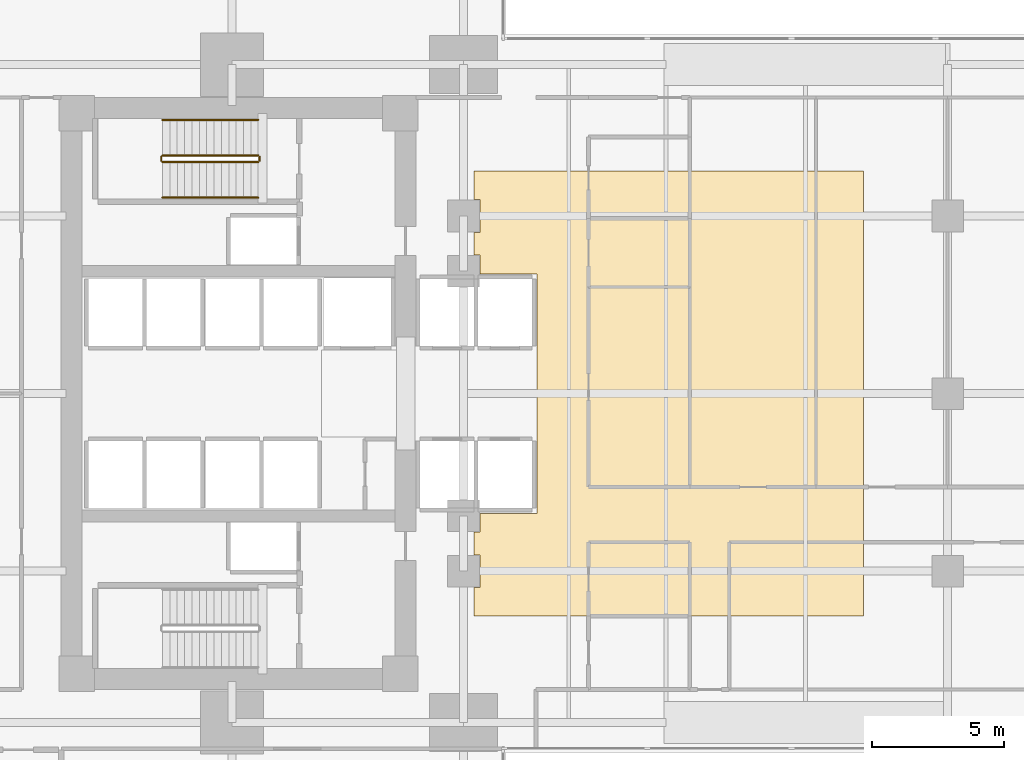
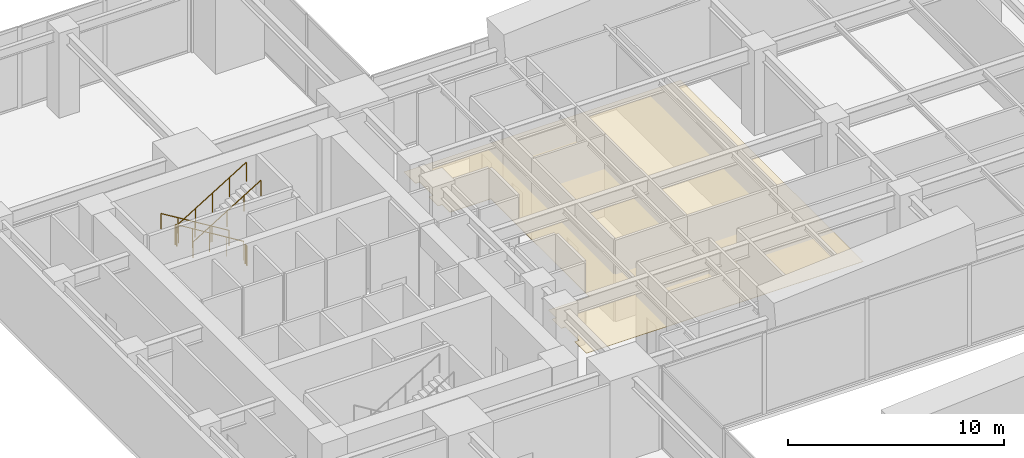
# One storey, part 13 of 13: 6 railings, 1 covering.
"""IFC4 building model written with IfcOpenShell, lengths in metres."""

from ifc_helpers import new_model, si_unit, direction, frame, origin, origin_2d, place, context, subcontext, project, spatial, polyline, circle, outline, extrude, material, layer, layer_set, type_object, element, save


model = new_model("IFC4")

# Units and contexts
model_context = context("Model", 3, precision=1e-05, world=origin(), true_north=direction((0.0, 1.0)))
body_context = subcontext(model_context, "Body", "Model", "MODEL_VIEW")
ifc_project = project(units=[si_unit("LENGTHUNIT", "METRE"), si_unit("AREAUNIT", "SQUARE_METRE"), si_unit("VOLUMEUNIT", "CUBIC_METRE"), si_unit("PLANEANGLEUNIT", "RADIAN"), si_unit("MASSUNIT", "GRAM", prefix="KILO")], contexts=[model_context])

# Site, building, storey
site_placement = place(None, origin())
site = spatial("IfcSite", under=ifc_project, at=site_placement, CompositionType="ELEMENT")
building_placement = place(site_placement, origin())
building = spatial("IfcBuilding", under=site, at=building_placement, Name="Kinhvarn Gate Tower", CompositionType="ELEMENT")
storey_placement = place(building_placement, frame((0.0, 0.0, 10.800048828125)))
storey = spatial("IfcBuildingStorey", under=building, at=storey_placement, Name="L02", CompositionType="ELEMENT", Elevation=10.800048828125)

# Covering
ifc_material_1 = material(Name="Mineral-fibre acoustic ceiling tile")
ifc_layer = layer(ifc_material_1, 0.02001953125)
ifc_layer_set = layer_set([ifc_layer], Name="Mineral-fibre acoustic ceiling tile")
covering_type = type_object("IfcCoveringType", Name="COV-CEIL-20", PredefinedType="CEILING", material=ifc_layer_set)
covering_placement = place(storey_placement, frame((0.0, 0.0, 2.64990234375)))
element("IfcCovering", 1, at=covering_placement, inside=storey, type_object=covering_type, Name="Suspended Acoustic Ceiling Tile (L02-1)", PredefinedType="CEILING", context=body_context, shape_type="SweptSolid", body=[
    extrude(outline(polyline([(35.0, 33.699951171875), (35.0, 16.800048828125), (20.199951171875, 16.800048828125), (20.199951171875, 17.8798828125), (20.419921875, 17.8798828125), (20.419921875, 19.1201171875), (20.199951171875, 19.1201171875), (20.199951171875, 19.97998046875), (20.419921875, 19.97998046875), (20.419921875, 20.699951171875), (22.60009765625, 20.699951171875), (22.60009765625, 29.800048828125), (20.419921875, 29.800048828125), (20.419921875, 30.52001953125), (20.199951171875, 30.52001953125), (20.199951171875, 31.3798828125), (20.419921875, 31.3798828125), (20.419921875, 32.6201171875), (20.199951171875, 32.6201171875), (20.199951171875, 33.699951171875), (35.0, 33.699951171875)])), origin(), (0.0, 0.0, 1.0), 0.02001953125),
])

# Railings
ifc_material_2 = material(Name="Steel S355", Category="steel")
railing_type_1 = type_object("IfcRailingType", Name="RL-ST-GRD", PredefinedType="BALUSTRADE", material=ifc_material_2)
railing_1_placement = place(storey_placement, frame((12.0, 34.300048828125, 0.17138671875)))
element("IfcRailing", 2, at=railing_1_placement, inside=storey, type_object=railing_type_1, Name="L02 ST2 stair guard 1", PredefinedType="BALUSTRADE", context=body_context, shape_type="SweptSolid", body=[
    extrude(circle(Radius=0.02392578125, at=origin_2d()), frame((0.0, 0.0, 1.076171875), z_axis=(-0.852850264322, 0.0, 0.5221555579), x_axis=(0.0, -1.0, 0.0)), (0.0, 0.0, 1.0), 4.267822265625),
    extrude(circle(Radius=0.02099609375, at=origin_2d()), origin(), (0.0, 0.0, 1.0), 1.052001953125),
    extrude(circle(Radius=0.02099609375, at=origin_2d()), frame((-0.909912109375, 0.0, 0.55712890625)), (0.0, 0.0, 1.0), 1.052001953125),
    extrude(circle(Radius=0.02099609375, at=origin_2d()), frame((-1.81982421875, 0.0, 1.1142578125)), (0.0, 0.0, 1.0), 1.052001953125),
    extrude(circle(Radius=0.02099609375, at=origin_2d()), frame((-2.72998046875, 0.0, 1.67138671875)), (0.0, 0.0, 1.0), 1.052001953125),
    extrude(circle(Radius=0.02099609375, at=origin_2d()), frame((-3.639892578125, 0.0, 2.228515625)), (0.0, 0.0, 1.0), 1.052001953125),
])
railing_2_placement = place(storey_placement, frame((8.31005859375, 34.25, 2.39990234375)))
element("IfcRailing", 3, at=railing_2_placement, inside=storey, type_object=railing_type_1, Name="L02 ST2 stair guard 2", PredefinedType="BALUSTRADE", context=body_context, shape_type="SweptSolid", body=[
    extrude(circle(Radius=0.02392578125, at=origin_2d()), frame((0.0, 0.0, 1.076171875), z_axis=(0.0, -1.0, 0.0), x_axis=(1.0, 0.0, 0.0)), (0.0, 0.0, 1.0), 0.14990234375),
    extrude(circle(Radius=0.02099609375, at=origin_2d()), origin(), (0.0, 0.0, 1.0), 1.052001953125),
    extrude(circle(Radius=0.02099609375, at=origin_2d()), frame((0.0, -0.14990234375, 0.0)), (0.0, 0.0, 1.0), 1.052001953125),
])
railing_3_placement = place(storey_placement, frame((8.360107421875, 34.050048828125, 2.5712890625)))
element("IfcRailing", 4, at=railing_3_placement, inside=storey, type_object=railing_type_1, Name="L02 ST2 stair guard 3", PredefinedType="BALUSTRADE", context=body_context, shape_type="SweptSolid", body=[
    extrude(circle(Radius=0.02392578125, at=origin_2d()), frame((0.0, 0.0, 1.076171875), z_axis=(0.852824790078, 0.0, 0.522197163366), x_axis=(0.0, 1.0, 0.0)), (0.0, 0.0, 1.0), 4.26806640625),
    extrude(circle(Radius=0.02099609375, at=origin_2d()), origin(), (0.0, 0.0, 1.0), 1.052001953125),
    extrude(circle(Radius=0.02099609375, at=origin_2d()), frame((0.909912109375, 0.0, 0.55712890625)), (0.0, 0.0, 1.0), 1.052001953125),
    extrude(circle(Radius=0.02099609375, at=origin_2d()), frame((1.81982421875, 0.0, 1.1142578125)), (0.0, 0.0, 1.0), 1.052001953125),
    extrude(circle(Radius=0.02099609375, at=origin_2d()), frame((2.72998046875, 0.0, 1.671630859375)), (0.0, 0.0, 1.0), 1.052001953125),
    extrude(circle(Radius=0.02099609375, at=origin_2d()), frame((3.639892578125, 0.0, 2.228759765625)), (0.0, 0.0, 1.0), 1.052001953125),
])
railing_4_placement = place(storey_placement, frame((12.050048828125, 34.25, 0.0)))
element("IfcRailing", 5, at=railing_4_placement, inside=storey, type_object=railing_type_1, Name="L02 ST2 stair guard 4", PredefinedType="BALUSTRADE", context=body_context, shape_type="SweptSolid", body=[
    extrude(circle(Radius=0.02392578125, at=origin_2d()), frame((0.0, 0.0, 1.076171875), z_axis=(0.0, -1.0, 0.0), x_axis=(1.0, 0.0, 0.0)), (0.0, 0.0, 1.0), 0.14990234375),
    extrude(circle(Radius=0.02099609375, at=origin_2d()), origin(), (0.0, 0.0, 1.0), 1.052001953125),
    extrude(circle(Radius=0.02099609375, at=origin_2d()), frame((0.0, -0.14990234375, 0.0)), (0.0, 0.0, 1.0), 1.052001953125),
])
railing_type_2 = type_object("IfcRailingType", Name="RL-ST-HND", PredefinedType="HANDRAIL", material=ifc_material_2)
railing_5_placement = place(storey_placement, frame((12.0, 35.64990234375, 0.17138671875)))
element("IfcRailing", 6, at=railing_5_placement, inside=storey, type_object=railing_type_2, Name="L02 ST2 stair handrail 1", PredefinedType="HANDRAIL", context=body_context, shape_type="SweptSolid", body=[
    extrude(circle(Radius=0.02392578125, at=origin_2d()), frame((0.0, 0.0, 0.8759765625), z_axis=(-0.852850264322, 0.0, 0.5221555579), x_axis=(0.0, -1.0, 0.0)), (0.0, 0.0, 1.0), 4.267822265625),
    extrude(circle(Radius=0.02099609375, at=origin_2d()), origin(), (0.0, 0.0, 1.0), 0.851806640625),
    extrude(circle(Radius=0.02099609375, at=origin_2d()), frame((-0.909912109375, 0.0, 0.55712890625)), (0.0, 0.0, 1.0), 0.851806640625),
    extrude(circle(Radius=0.02099609375, at=origin_2d()), frame((-1.81982421875, 0.0, 1.1142578125)), (0.0, 0.0, 1.0), 0.851806640625),
    extrude(circle(Radius=0.02099609375, at=origin_2d()), frame((-2.72998046875, 0.0, 1.67138671875)), (0.0, 0.0, 1.0), 0.851806640625),
    extrude(circle(Radius=0.02099609375, at=origin_2d()), frame((-3.639892578125, 0.0, 2.228515625)), (0.0, 0.0, 1.0), 0.851806640625),
])
railing_6_placement = place(storey_placement, frame((8.360107421875, 32.699951171875, 2.5712890625)))
element("IfcRailing", 7, at=railing_6_placement, inside=storey, type_object=railing_type_2, Name="L02 ST2 stair handrail 2", PredefinedType="HANDRAIL", context=body_context, shape_type="SweptSolid", body=[
    extrude(circle(Radius=0.02392578125, at=origin_2d()), frame((0.0, 0.0, 0.8759765625), z_axis=(0.852824790078, 0.0, 0.522197163366), x_axis=(0.0, 1.0, 0.0)), (0.0, 0.0, 1.0), 4.26806640625),
    extrude(circle(Radius=0.02099609375, at=origin_2d()), origin(), (0.0, 0.0, 1.0), 0.851806640625),
    extrude(circle(Radius=0.02099609375, at=origin_2d()), frame((0.909912109375, 0.0, 0.55712890625)), (0.0, 0.0, 1.0), 0.851806640625),
    extrude(circle(Radius=0.02099609375, at=origin_2d()), frame((1.81982421875, 0.0, 1.1142578125)), (0.0, 0.0, 1.0), 0.851806640625),
    extrude(circle(Radius=0.02099609375, at=origin_2d()), frame((2.72998046875, 0.0, 1.671630859375)), (0.0, 0.0, 1.0), 0.851806640625),
    extrude(circle(Radius=0.02099609375, at=origin_2d()), frame((3.639892578125, 0.0, 2.228759765625)), (0.0, 0.0, 1.0), 0.851806640625),
])

save(model, "model.ifc")
